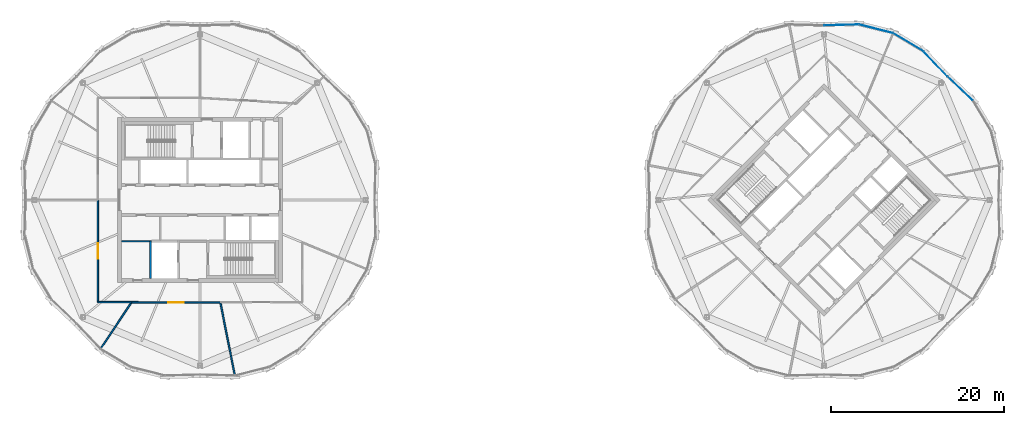
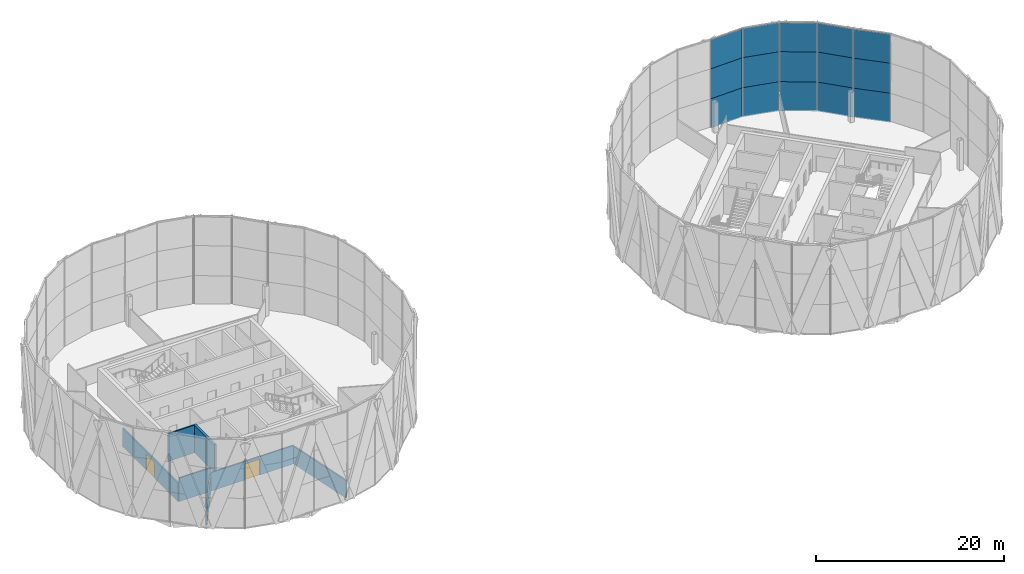
# One storey, part 15 of 22: 15 plates, 7 walls, 2 doors, 2 openings, 2 elements without a shape of their own.
"""IFC4 building model written with IfcOpenShell, lengths in metres."""

from ifc_helpers import new_model, si_unit, direction, frame, frame_2d, origin, origin_2d, place, context, subcontext, project, spatial, rectangle, extrude, material, layer, layer_set, type_object, element, fill, aggregate, save


model = new_model("IFC4")

# Units and contexts
model_context = context("Model", 3, precision=1e-05, world=origin(), true_north=direction((0.0, 1.0)))
body_context = subcontext(model_context, "Body", "Model", "MODEL_VIEW")
ifc_project = project(units=[si_unit("LENGTHUNIT", "METRE"), si_unit("AREAUNIT", "SQUARE_METRE"), si_unit("VOLUMEUNIT", "CUBIC_METRE"), si_unit("PLANEANGLEUNIT", "RADIAN"), si_unit("MASSUNIT", "GRAM", prefix="KILO")], contexts=[model_context])

# Site, building, storey
site_placement = place(None, origin())
site = spatial("IfcSite", under=ifc_project, at=site_placement, CompositionType="ELEMENT")
building_placement = place(site_placement, origin())
building = spatial("IfcBuilding", under=site, at=building_placement, Name="Ogive Gate Towers", CompositionType="ELEMENT")
storey_placement = place(building_placement, frame((0.0, 0.0, 228.89990234375)))
storey = spatial("IfcBuildingStorey", under=building, at=storey_placement, Name="L54", CompositionType="ELEMENT", Elevation=228.89990234375)

# Curtain wall, plates
ifc_material_1 = material(Name="Pale metal aluminium", Category="aluminium")
curtain_wall_type = type_object("IfcCurtainWallType", Name="Tower unitised wall, high zone", PredefinedType="NOTDEFINED", material=ifc_material_1)
curtain_wall_1_placement = place(storey_placement, origin())
curtain_wall_1 = element("IfcCurtainWall", 1, at=curtain_wall_1_placement, inside=storey, type_object=curtain_wall_type, Name="CW2 T2 ECW01", PredefinedType="NOTDEFINED")
ifc_material_2 = material(Name="Clear glass", Category="glass")
ifc_layer_1 = layer(ifc_material_2, 0.028076171875)
ifc_layer_set_1 = layer_set([ifc_layer_1], Name="Tower unitised wall, high zone glass panel")
plate_type = type_object("IfcPlateType", Name="Tower unitised wall, high zone glass panel", PredefinedType="CURTAIN_PANEL", material=ifc_layer_set_1)
plate_1_placement = place(storey_placement, frame((51.705322265625, 12.865478515625, -0.2041015625), z_axis=(0.0, 0.0, 1.0), x_axis=(-0.725398398678, 0.688329254932, 0.0)))
plate_1 = element("IfcPlate", 2, at=plate_1_placement, type_object=plate_type, Name="CW2 glass panel", PredefinedType="CURTAIN_PANEL", context=body_context, shape_type="SweptSolid", body=[
    extrude(rectangle(XDim=3.963623046875, YDim=0.028076171875, at=origin_2d()), origin(), (0.0, 0.0, 1.0), 3.803955078125),
])
plate_2_placement = place(storey_placement, frame((51.705322265625, 12.865478515625, 3.60009765625), z_axis=(0.0, 0.0, 1.0), x_axis=(-0.725398398678, 0.688329254932, 0.0)))
plate_2 = element("IfcPlate", 3, at=plate_2_placement, type_object=plate_type, Name="CW2 glass panel", PredefinedType="CURTAIN_PANEL", context=body_context, shape_type="SweptSolid", body=[
    extrude(rectangle(XDim=3.963623046875, YDim=0.028076171875, at=origin_2d()), origin(), (0.0, 0.0, 1.0), 3.89990234375),
])
plate_3_placement = place(storey_placement, frame((51.705322265625, 12.865478515625, 7.5), z_axis=(0.0, 0.0, 1.0), x_axis=(-0.725398398678, 0.688329254932, 0.0)))
plate_3 = element("IfcPlate", 4, at=plate_3_placement, type_object=plate_type, Name="CW2 glass panel", PredefinedType="CURTAIN_PANEL", context=body_context, shape_type="SweptSolid", body=[
    extrude(rectangle(XDim=3.963623046875, YDim=0.028076171875, at=origin_2d()), origin(), (0.0, 0.0, 1.0), 3.803955078125),
])
aggregate(curtain_wall_1, [plate_1, plate_2, plate_3])

curtain_wall_2_placement = place(storey_placement, origin())
curtain_wall_2 = element("IfcCurtainWall", 5, at=curtain_wall_2_placement, inside=storey, type_object=curtain_wall_type, Name="CW2 T2 ECW02", PredefinedType="NOTDEFINED")
plate_4_placement = place(storey_placement, frame((48.865478515625, 15.705322265625, -0.2041015625), z_axis=(0.0, 0.0, 1.0), x_axis=(-0.688329254932, 0.725398398678, 0.0)))
plate_4 = element("IfcPlate", 6, at=plate_4_placement, type_object=plate_type, Name="CW2 glass panel", PredefinedType="CURTAIN_PANEL", context=body_context, shape_type="SweptSolid", body=[
    extrude(rectangle(XDim=3.963623046875, YDim=0.028076171875, at=origin_2d()), origin(), (0.0, 0.0, 1.0), 3.803955078125),
])
plate_5_placement = place(storey_placement, frame((48.865478515625, 15.705322265625, 3.60009765625), z_axis=(0.0, 0.0, 1.0), x_axis=(-0.688329254932, 0.725398398678, 0.0)))
plate_5 = element("IfcPlate", 7, at=plate_5_placement, type_object=plate_type, Name="CW2 glass panel", PredefinedType="CURTAIN_PANEL", context=body_context, shape_type="SweptSolid", body=[
    extrude(rectangle(XDim=3.963623046875, YDim=0.028076171875, at=origin_2d()), origin(), (0.0, 0.0, 1.0), 3.89990234375),
])
plate_6_placement = place(storey_placement, frame((48.865478515625, 15.705322265625, 7.5), z_axis=(0.0, 0.0, 1.0), x_axis=(-0.688329254932, 0.725398398678, 0.0)))
plate_6 = element("IfcPlate", 8, at=plate_6_placement, type_object=plate_type, Name="CW2 glass panel", PredefinedType="CURTAIN_PANEL", context=body_context, shape_type="SweptSolid", body=[
    extrude(rectangle(XDim=3.963623046875, YDim=0.028076171875, at=origin_2d()), origin(), (0.0, 0.0, 1.0), 3.803955078125),
])
plate_7_placement = place(storey_placement, frame((45.729736328125, 18.214599609375, -0.2041015625), z_axis=(0.0, 0.0, 1.0), x_axis=(-0.85769720365, 0.514155138893, 0.0)))
plate_7 = element("IfcPlate", 9, at=plate_7_placement, type_object=plate_type, Name="CW2 glass panel", PredefinedType="CURTAIN_PANEL", context=body_context, shape_type="SweptSolid", body=[
    extrude(rectangle(XDim=4.01953125, YDim=0.028076171875, at=origin_2d()), origin(), (0.0, 0.0, 1.0), 3.803955078125),
])
plate_8_placement = place(storey_placement, frame((45.729736328125, 18.214599609375, 3.60009765625), z_axis=(0.0, 0.0, 1.0), x_axis=(-0.85769720365, 0.514155138893, 0.0)))
plate_8 = element("IfcPlate", 10, at=plate_8_placement, type_object=plate_type, Name="CW2 glass panel", PredefinedType="CURTAIN_PANEL", context=body_context, shape_type="SweptSolid", body=[
    extrude(rectangle(XDim=4.01953125, YDim=0.028076171875, at=origin_2d()), origin(), (0.0, 0.0, 1.0), 3.89990234375),
])
plate_9_placement = place(storey_placement, frame((45.729736328125, 18.214599609375, 7.5), z_axis=(0.0, 0.0, 1.0), x_axis=(-0.85769720365, 0.514155138893, 0.0)))
plate_9 = element("IfcPlate", 11, at=plate_9_placement, type_object=plate_type, Name="CW2 glass panel", PredefinedType="CURTAIN_PANEL", context=body_context, shape_type="SweptSolid", body=[
    extrude(rectangle(XDim=4.01953125, YDim=0.028076171875, at=origin_2d()), origin(), (0.0, 0.0, 1.0), 3.803955078125),
])
plate_10_placement = place(storey_placement, frame((41.999755859375, 19.759765625, -0.2041015625), z_axis=(0.0, 0.0, 1.0), x_axis=(-0.970041854282, 0.242937854074, 0.0)))
plate_10 = element("IfcPlate", 12, at=plate_10_placement, type_object=plate_type, Name="CW2 glass panel", PredefinedType="CURTAIN_PANEL", context=body_context, shape_type="SweptSolid", body=[
    extrude(rectangle(XDim=4.01953125, YDim=0.028076171875, at=origin_2d()), origin(), (0.0, 0.0, 1.0), 3.803955078125),
])
plate_11_placement = place(storey_placement, frame((41.999755859375, 19.759765625, 3.60009765625), z_axis=(0.0, 0.0, 1.0), x_axis=(-0.970041854282, 0.242937854074, 0.0)))
plate_11 = element("IfcPlate", 13, at=plate_11_placement, type_object=plate_type, Name="CW2 glass panel", PredefinedType="CURTAIN_PANEL", context=body_context, shape_type="SweptSolid", body=[
    extrude(rectangle(XDim=4.01953125, YDim=0.028076171875, at=origin_2d()), origin(), (0.0, 0.0, 1.0), 3.89990234375),
])
plate_12_placement = place(storey_placement, frame((41.999755859375, 19.759765625, 7.5), z_axis=(0.0, 0.0, 1.0), x_axis=(-0.970041854282, 0.242937854074, 0.0)))
plate_12 = element("IfcPlate", 14, at=plate_12_placement, type_object=plate_type, Name="CW2 glass panel", PredefinedType="CURTAIN_PANEL", context=body_context, shape_type="SweptSolid", body=[
    extrude(rectangle(XDim=4.01953125, YDim=0.028076171875, at=origin_2d()), origin(), (0.0, 0.0, 1.0), 3.803955078125),
])
plate_13_placement = place(storey_placement, frame((38.008056640625, 20.20263671875, -0.2041015625), z_axis=(0.0, 0.0, 1.0), x_axis=(-0.999655952983, -0.026229290207, 0.0)))
plate_13 = element("IfcPlate", 15, at=plate_13_placement, type_object=plate_type, Name="CW2 glass panel", PredefinedType="CURTAIN_PANEL", context=body_context, shape_type="SweptSolid", body=[
    extrude(rectangle(XDim=3.963623046875, YDim=0.028076171875, at=origin_2d()), origin(), (0.0, 0.0, 1.0), 3.803955078125),
])
plate_14_placement = place(storey_placement, frame((38.008056640625, 20.20263671875, 3.60009765625), z_axis=(0.0, 0.0, 1.0), x_axis=(-0.999655952983, -0.026229290207, 0.0)))
plate_14 = element("IfcPlate", 16, at=plate_14_placement, type_object=plate_type, Name="CW2 glass panel", PredefinedType="CURTAIN_PANEL", context=body_context, shape_type="SweptSolid", body=[
    extrude(rectangle(XDim=3.963623046875, YDim=0.028076171875, at=origin_2d()), origin(), (0.0, 0.0, 1.0), 3.89990234375),
])
plate_15_placement = place(storey_placement, frame((38.008056640625, 20.20263671875, 7.5), z_axis=(0.0, 0.0, 1.0), x_axis=(-0.999655952983, -0.026229290207, 0.0)))
plate_15 = element("IfcPlate", 17, at=plate_15_placement, type_object=plate_type, Name="CW2 glass panel", PredefinedType="CURTAIN_PANEL", context=body_context, shape_type="SweptSolid", body=[
    extrude(rectangle(XDim=3.963623046875, YDim=0.028076171875, at=origin_2d()), origin(), (0.0, 0.0, 1.0), 3.803955078125),
])
aggregate(curtain_wall_2, [plate_4, plate_5, plate_6, plate_7, plate_8, plate_9, plate_10, plate_11, plate_12, plate_13, plate_14, plate_15])

# Walls
ifc_material_3 = material(Name="Gypsum board acoustic partition")
ifc_layer_2 = layer(ifc_material_3, 0.175048828125)
ifc_layer_set_2 = layer_set([ifc_layer_2], Name="Acoustic partition 175")
wall_type_1 = type_object("IfcWallType", Name="Acoustic partition 175", PredefinedType="PARTITIONING", material=ifc_layer_set_2)
wall_1_placement = place(storey_placement, frame((-47.424072265625, -17.081298828125, 0.0), z_axis=(0.0, 0.0, 1.0), x_axis=(0.555948301376, 0.831216870736, 0.0)))
element("IfcWall", 18, at=wall_1_placement, inside=storey, type_object=wall_type_1, Name="Partition T1-L54-005", PredefinedType="PARTITIONING", context=body_context, shape_type="SweptSolid", body=[
    extrude(rectangle(XDim=6.271484375, YDim=0.175048828125, at=frame_2d((3.1357421875, 0.0))), origin(), (0.0, 0.0, 1.0), 2.300048828125),
])
wall_2_placement = place(storey_placement, frame((-31.99951171875, -20.156494140625, 0.0), z_axis=(0.0, 0.0, 1.0), x_axis=(-0.194666431438, 0.980869502264, 0.0)))
element("IfcWall", 19, at=wall_2_placement, inside=storey, type_object=wall_type_1, Name="Partition T1-L54-006", PredefinedType="PARTITIONING", context=body_context, shape_type="SweptSolid", body=[
    extrude(rectangle(XDim=8.421630859375, YDim=0.175048828125, at=frame_2d((4.2109375, 0.0))), origin(), (0.0, 0.0, 1.0), 2.300048828125),
])

# Wall, opening, door
wall_3_placement = place(storey_placement, frame((-43.888916015625, -11.795654296875, 0.0), z_axis=(0.0, 0.0, 1.0), x_axis=(0.999998975402, -0.001431501134, 0.0)))
wall_3 = element("IfcWall", 20, at=wall_3_placement, inside=storey, type_object=wall_type_1, Name="Partition T1-L54-008", PredefinedType="PARTITIONING", context=body_context, shape_type="SweptSolid", body=[
    extrude(rectangle(XDim=10.23291015625, YDim=0.175048828125, at=frame_2d((5.116455078125, 0.0))), origin(), (0.0, 0.0, 1.0), 2.400146484375),
])
opening_1_placement = place(wall_3_placement, frame((4.216064453125, 0.0, 0.0)))
opening_1 = element("IfcOpeningElement", 21, at=opening_1_placement, cuts=wall_3, Name="Opening T1-L54-D01", PredefinedType="OPENING", context=body_context, shape_type="SweptSolid", body=[
    extrude(rectangle(XDim=1.800048828125, YDim=2.10009765625, at=frame_2d((0.89990234375, 1.050048828125))), frame((0.0, 0.09765625, 0.0), z_axis=(0.0, -1.0, 0.0), x_axis=(1.0, 0.0, 0.0)), (0.0, 0.0, 1.0), 0.195068359375),
])
ifc_material_4 = material(Name="Timber door", Category="wood")
door_type = type_object("IfcDoorType", Name="Door pair 1800", OperationType="NOTDEFINED", PredefinedType="DOOR", material=ifc_material_4)
door_1_placement = place(opening_1_placement, origin())
door_1 = element("IfcDoor", 22, at=door_1_placement, inside=storey, type_object=door_type, Name="Door T1-L54-D01", OperationType="DOUBLE_DOOR_DOUBLE_SWING", OverallHeight=2.10009765625, OverallWidth=1.800048828125, PredefinedType="DOOR", context=body_context, shape_type="SweptSolid", body=[
    extrude(rectangle(XDim=1.800048828125, YDim=2.10009765625, at=frame_2d((0.89990234375, 1.050048828125))), frame((0.0, 0.02490234375, 0.0), z_axis=(0.0, -1.0, 0.0), x_axis=(1.0, 0.0, 0.0)), (0.0, 0.0, 1.0), 0.050048828125),
])
fill(opening_1, door_1)

wall_4_placement = place(storey_placement, frame((-47.7900390625, 0.0, 0.0), z_axis=(0.0, 0.0, 1.0), x_axis=(0.000849723015, -0.999999638985, 0.0)))
wall_4 = element("IfcWall", 23, at=wall_4_placement, inside=storey, type_object=wall_type_1, Name="Partition T1-L54-015", PredefinedType="PARTITIONING", context=body_context, shape_type="SweptSolid", body=[
    extrude(rectangle(XDim=11.780029296875, YDim=0.175048828125, at=frame_2d((5.89013671875, 0.0))), origin(), (0.0, 0.0, 1.0), 2.400146484375),
])
opening_2_placement = place(wall_4_placement, frame((4.989990234375, 0.0, 0.0)))
opening_2 = element("IfcOpeningElement", 24, at=opening_2_placement, cuts=wall_4, Name="Opening T1-L54-D06", PredefinedType="OPENING", context=body_context, shape_type="SweptSolid", body=[
    extrude(rectangle(XDim=1.800048828125, YDim=2.10009765625, at=frame_2d((0.89990234375, 1.050048828125))), frame((0.0, 0.09765625, 0.0), z_axis=(0.0, -1.0, 0.0), x_axis=(1.0, 0.0, 0.0)), (0.0, 0.0, 1.0), 0.195068359375),
])
door_2_placement = place(opening_2_placement, origin())
door_2 = element("IfcDoor", 25, at=door_2_placement, inside=storey, type_object=door_type, Name="Door T1-L54-D06", OperationType="DOUBLE_DOOR_DOUBLE_SWING", OverallHeight=2.10009765625, OverallWidth=1.800048828125, PredefinedType="DOOR", context=body_context, shape_type="SweptSolid", body=[
    extrude(rectangle(XDim=1.800048828125, YDim=2.10009765625, at=frame_2d((0.89990234375, 1.050048828125))), frame((0.0, 0.02490234375, 0.0), z_axis=(0.0, -1.0, 0.0), x_axis=(1.0, 0.0, 0.0)), (0.0, 0.0, 1.0), 0.050048828125),
])
fill(opening_2, door_2)

# Walls
wall_5_placement = place(storey_placement, frame((-47.780029296875, -11.780029296875, 0.0), z_axis=(0.0, 0.0, 1.0), x_axis=(0.999991937735, -0.004015527922, 0.0)))
element("IfcWall", 26, at=wall_5_placement, inside=storey, type_object=wall_type_1, Name="Partition T1-L54-016", PredefinedType="PARTITIONING", context=body_context, shape_type="SweptSolid", body=[
    extrude(rectangle(XDim=3.89111328125, YDim=0.175048828125, at=frame_2d((1.945556640625, 0.0))), origin(), (0.0, 0.0, 1.0), 3.050048828125),
])
ifc_material_5 = material(Name="Gypsum board partition")
ifc_layer_3 = layer(ifc_material_5, 0.14990234375)
ifc_layer_set_3 = layer_set([ifc_layer_3], Name="Room partition 150 mm")
wall_type_2 = type_object("IfcWallType", Name="Room partition 150 mm", PredefinedType="PARTITIONING", material=ifc_layer_set_3)
wall_6_placement = place(storey_placement, frame((-45.050048828125, -4.75, 0.0), z_axis=(0.0, 0.0, 1.0), x_axis=(1.0, 0.0, 0.0)))
element("IfcWall", 27, at=wall_6_placement, inside=storey, type_object=wall_type_2, Name="T1 L54 Room partition 150 mm", PredefinedType="PARTITIONING", context=body_context, shape_type="SweptSolid", body=[
    extrude(rectangle(XDim=3.22509765625, YDim=0.14990234375, at=frame_2d((1.612548828125, 0.0))), origin(), (0.0, 0.0, 1.0), 3.60009765625),
])
ifc_material_6 = material(Name="Concrete C60/75", Category="concrete")
ifc_layer_4 = layer(ifc_material_6, 0.25)
ifc_layer_set_4 = layer_set([ifc_layer_4], Name="Shaft wall 250 mm")
wall_type_3 = type_object("IfcWallType", Name="Shaft wall 250 mm", PredefinedType="SHEAR", material=ifc_layer_set_4)
wall_7_placement = place(storey_placement, frame((-41.699951171875, -9.050048828125, 0.0), z_axis=(0.0, 0.0, 1.0), x_axis=(0.0, 1.0, 0.0)))
element("IfcWall", 28, at=wall_7_placement, inside=storey, type_object=wall_type_3, Name="T1 L54 Shaft wall 250 mm", PredefinedType="SHEAR", context=body_context, shape_type="SweptSolid", body=[
    extrude(rectangle(XDim=4.375, YDim=0.25, at=frame_2d((2.1875, 0.0))), origin(), (0.0, 0.0, 1.0), 3.60009765625),
])

save(model, "model.ifc")
